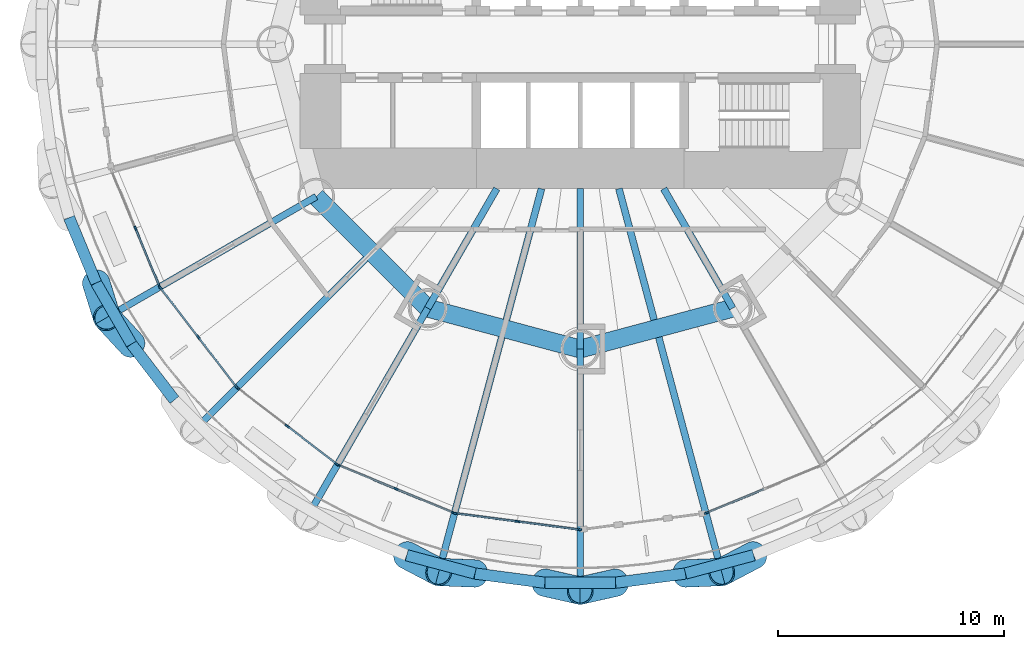
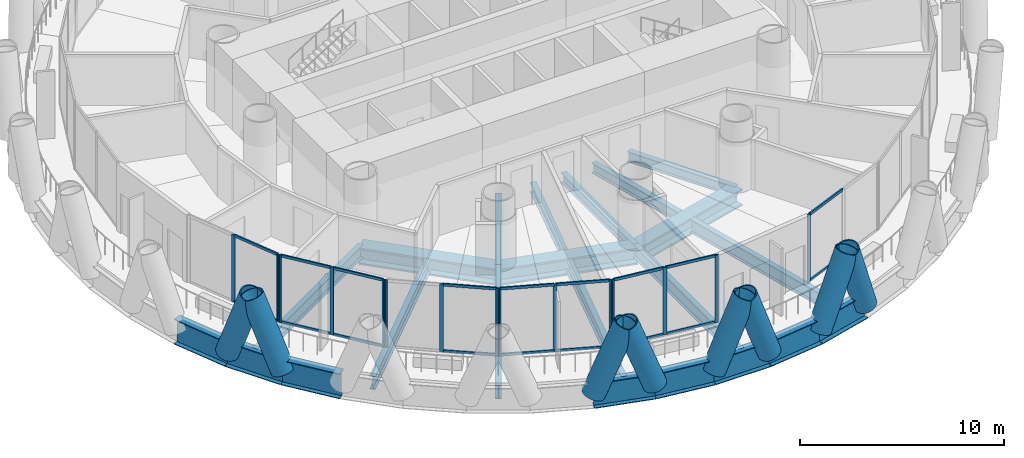
# One storey, part 2 of 16: 41 members, 22 beams, 6 elements without a shape of their own.
"""IFC4 building model written with IfcOpenShell, lengths in metres."""

from ifc_helpers import new_model, si_unit, direction, frame, origin, origin_2d, place, context, subcontext, project, spatial, rectangle, hollow_circle, i_section, extrude, material, material_profile, profile_set, type_object, element, aggregate, save


model = new_model("IFC4")

# Units and contexts
model_context = context("Model", 3, precision=1e-05, world=origin(), true_north=direction((0.0, 1.0)))
body_context = subcontext(model_context, "Body", "Model", "MODEL_VIEW")
ifc_project = project(units=[si_unit("LENGTHUNIT", "METRE"), si_unit("AREAUNIT", "SQUARE_METRE"), si_unit("VOLUMEUNIT", "CUBIC_METRE"), si_unit("PLANEANGLEUNIT", "RADIAN"), si_unit("MASSUNIT", "GRAM", prefix="KILO")], contexts=[model_context])

# Site, building, storey
site_placement = place(None, origin())
site = spatial("IfcSite", under=ifc_project, at=site_placement, CompositionType="ELEMENT")
building_placement = place(site_placement, origin())
building = spatial("IfcBuilding", under=site, at=building_placement, Name="Qaws Media Tower", CompositionType="ELEMENT")
storey_placement = place(building_placement, frame((0.0, 0.0, 38.60009765625)))
storey = spatial("IfcBuildingStorey", under=building, at=storey_placement, Name="L07", CompositionType="ELEMENT", Elevation=38.60009765625)

# Curtain wall, members
ifc_material_1 = material(Name="Aluminium and clear glass", Category="aluminium")
curtain_wall_type = type_object("IfcCurtainWallType", Name="Unitised curtain wall CW-A", PredefinedType="NOTDEFINED", material=ifc_material_1)
curtain_wall_1_placement = place(storey_placement, origin())
curtain_wall_1 = element("IfcCurtainWall", 1, at=curtain_wall_1_placement, inside=storey, type_object=curtain_wall_type, Name="CWA curtain wall L07-14", PredefinedType="NOTDEFINED")
ifc_material_2 = material(Name="Aluminium mullion", Category="aluminium")
ifc_material_profile_1 = material_profile(ifc_material_2, rectangle(XDim=0.080078125, YDim=0.199951171875, at=origin_2d()), Name="80x200")
ifc_profile_set_1 = profile_set([ifc_material_profile_1], Name="Aluminium mullion")
member_type_1 = type_object("IfcMemberType", Name="Curtain wall mullion 80x200", PredefinedType="MULLION", material=ifc_profile_set_1)
member_1_placement = place(storey_placement, frame((40.306640625, 41.8427734375, 0.0), z_axis=(0.0, 0.0, 1.0), x_axis=(0.923879550051, 0.382683390022, 0.0)))
member_1 = element("IfcMember", 2, at=member_1_placement, type_object=member_type_1, Name="CWA mullion 2", PredefinedType="MULLION", context=body_context, shape_type="SweptSolid", body=[
    extrude(rectangle(XDim=0.080078125, YDim=0.199951171875, at=origin_2d()), origin(), (0.0, 0.0, 1.0), 4.039794921875),
])
member_2_placement = place(storey_placement, frame((41.365234375, 39.286865234375, 0.0), z_axis=(0.0, 0.0, 1.0), x_axis=(0.923879550051, 0.382683390022, 0.0)))
member_2 = element("IfcMember", 3, at=member_2_placement, type_object=member_type_1, Name="CWA mullion 3", PredefinedType="MULLION", context=body_context, shape_type="SweptSolid", body=[
    extrude(rectangle(XDim=0.080078125, YDim=0.199951171875, at=origin_2d()), origin(), (0.0, 0.0, 1.0), 4.039794921875),
])

curtain_wall_2_placement = place(storey_placement, origin())
curtain_wall_2 = element("IfcCurtainWall", 4, at=curtain_wall_2_placement, inside=storey, type_object=curtain_wall_type, Name="CWA curtain wall L07-15", PredefinedType="NOTDEFINED")
member_3_placement = place(storey_placement, frame((41.40478515625, 39.21826171875, 0.0), z_axis=(0.0, 0.0, 1.0), x_axis=(0.793353386998, 0.608761368139, 0.0)))
member_3 = element("IfcMember", 5, at=member_3_placement, type_object=member_type_1, Name="CWA mullion 1", PredefinedType="MULLION", context=body_context, shape_type="SweptSolid", body=[
    extrude(rectangle(XDim=0.080078125, YDim=0.199951171875, at=origin_2d()), origin(), (0.0, 0.0, 1.0), 4.039794921875),
])
member_4_placement = place(storey_placement, frame((43.0888671875, 37.023681640625, 0.0), z_axis=(0.0, 0.0, 1.0), x_axis=(0.793353386998, 0.608761368139, 0.0)))
member_4 = element("IfcMember", 6, at=member_4_placement, type_object=member_type_1, Name="CWA mullion 2", PredefinedType="MULLION", context=body_context, shape_type="SweptSolid", body=[
    extrude(rectangle(XDim=0.080078125, YDim=0.199951171875, at=origin_2d()), origin(), (0.0, 0.0, 1.0), 4.039794921875),
])
member_5_placement = place(storey_placement, frame((44.77294921875, 34.828857421875, 0.0), z_axis=(0.0, 0.0, 1.0), x_axis=(0.793353386998, 0.608761368139, 0.0)))
member_5 = element("IfcMember", 7, at=member_5_placement, type_object=member_type_1, Name="CWA mullion 3", PredefinedType="MULLION", context=body_context, shape_type="SweptSolid", body=[
    extrude(rectangle(XDim=0.080078125, YDim=0.199951171875, at=origin_2d()), origin(), (0.0, 0.0, 1.0), 4.039794921875),
])

curtain_wall_3_placement = place(storey_placement, origin())
curtain_wall_3 = element("IfcCurtainWall", 8, at=curtain_wall_3_placement, inside=storey, type_object=curtain_wall_type, Name="CWA curtain wall L07-16", PredefinedType="NOTDEFINED")
member_6_placement = place(storey_placement, frame((44.828857421875, 34.77294921875, 0.0), z_axis=(0.0, 0.0, 1.0), x_axis=(0.608761368139, 0.793353386998, 0.0)))
member_6 = element("IfcMember", 9, at=member_6_placement, type_object=member_type_1, Name="CWA mullion 1", PredefinedType="MULLION", context=body_context, shape_type="SweptSolid", body=[
    extrude(rectangle(XDim=0.080078125, YDim=0.199951171875, at=origin_2d()), origin(), (0.0, 0.0, 1.0), 4.039794921875),
])
member_7_placement = place(storey_placement, frame((47.023681640625, 33.0888671875, 0.0), z_axis=(0.0, 0.0, 1.0), x_axis=(0.608761368139, 0.793353386998, 0.0)))
member_7 = element("IfcMember", 10, at=member_7_placement, type_object=member_type_1, Name="CWA mullion 2", PredefinedType="MULLION", context=body_context, shape_type="SweptSolid", body=[
    extrude(rectangle(XDim=0.080078125, YDim=0.199951171875, at=origin_2d()), origin(), (0.0, 0.0, 1.0), 4.039794921875),
])
member_8_placement = place(storey_placement, frame((49.21826171875, 31.40478515625, 0.0), z_axis=(0.0, 0.0, 1.0), x_axis=(0.608761368139, 0.793353386998, 0.0)))
member_8 = element("IfcMember", 11, at=member_8_placement, type_object=member_type_1, Name="CWA mullion 3", PredefinedType="MULLION", context=body_context, shape_type="SweptSolid", body=[
    extrude(rectangle(XDim=0.080078125, YDim=0.199951171875, at=origin_2d()), origin(), (0.0, 0.0, 1.0), 4.039794921875),
])

curtain_wall_4_placement = place(storey_placement, origin())
curtain_wall_4 = element("IfcCurtainWall", 12, at=curtain_wall_4_placement, inside=storey, type_object=curtain_wall_type, Name="CWA curtain wall L07-17", PredefinedType="NOTDEFINED")
member_9_placement = place(storey_placement, frame((49.286865234375, 31.365234375, 0.0), z_axis=(0.0, 0.0, 1.0), x_axis=(0.382683390022, 0.923879550051, 0.0)))
member_9 = element("IfcMember", 13, at=member_9_placement, type_object=member_type_1, Name="CWA mullion 1", PredefinedType="MULLION", context=body_context, shape_type="SweptSolid", body=[
    extrude(rectangle(XDim=0.080078125, YDim=0.199951171875, at=origin_2d()), origin(), (0.0, 0.0, 1.0), 4.039794921875),
])
member_10_placement = place(storey_placement, frame((51.8427734375, 30.306640625, 0.0), z_axis=(0.0, 0.0, 1.0), x_axis=(0.382683390022, 0.923879550051, 0.0)))
member_10 = element("IfcMember", 14, at=member_10_placement, type_object=member_type_1, Name="CWA mullion 2", PredefinedType="MULLION", context=body_context, shape_type="SweptSolid", body=[
    extrude(rectangle(XDim=0.080078125, YDim=0.199951171875, at=origin_2d()), origin(), (0.0, 0.0, 1.0), 4.039794921875),
])
member_11_placement = place(storey_placement, frame((54.3984375, 29.247802734375, 0.0), z_axis=(0.0, 0.0, 1.0), x_axis=(0.382683390022, 0.923879550051, 0.0)))
member_11 = element("IfcMember", 15, at=member_11_placement, type_object=member_type_1, Name="CWA mullion 3", PredefinedType="MULLION", context=body_context, shape_type="SweptSolid", body=[
    extrude(rectangle(XDim=0.080078125, YDim=0.199951171875, at=origin_2d()), origin(), (0.0, 0.0, 1.0), 4.039794921875),
])

curtain_wall_5_placement = place(storey_placement, origin())
curtain_wall_5 = element("IfcCurtainWall", 16, at=curtain_wall_5_placement, inside=storey, type_object=curtain_wall_type, Name="CWA curtain wall L07-18", PredefinedType="NOTDEFINED")
member_12_placement = place(storey_placement, frame((54.47509765625, 29.227294921875, 0.0), z_axis=(0.0, 0.0, 1.0), x_axis=(0.130526249496, 0.991444853833, 0.0)))
member_12 = element("IfcMember", 17, at=member_12_placement, type_object=member_type_1, Name="CWA mullion 1", PredefinedType="MULLION", context=body_context, shape_type="SweptSolid", body=[
    extrude(rectangle(XDim=0.080078125, YDim=0.199951171875, at=origin_2d()), origin(), (0.0, 0.0, 1.0), 4.039794921875),
])
member_13_placement = place(storey_placement, frame((57.2177734375, 28.8662109375, 0.0), z_axis=(0.0, 0.0, 1.0), x_axis=(0.130526249496, 0.991444853833, 0.0)))
member_13 = element("IfcMember", 18, at=member_13_placement, type_object=member_type_1, Name="CWA mullion 2", PredefinedType="MULLION", context=body_context, shape_type="SweptSolid", body=[
    extrude(rectangle(XDim=0.080078125, YDim=0.199951171875, at=origin_2d()), origin(), (0.0, 0.0, 1.0), 4.039794921875),
])
member_14_placement = place(storey_placement, frame((59.96044921875, 28.505126953125, 0.0), z_axis=(0.0, 0.0, 1.0), x_axis=(0.130526249496, 0.991444853833, 0.0)))
member_14 = element("IfcMember", 19, at=member_14_placement, type_object=member_type_1, Name="CWA mullion 3", PredefinedType="MULLION", context=body_context, shape_type="SweptSolid", body=[
    extrude(rectangle(XDim=0.080078125, YDim=0.199951171875, at=origin_2d()), origin(), (0.0, 0.0, 1.0), 4.039794921875),
])

# Curtain wall, member
curtain_wall_6_placement = place(storey_placement, origin())
curtain_wall_6 = element("IfcCurtainWall", 20, at=curtain_wall_6_placement, inside=storey, type_object=curtain_wall_type, Name="CWA curtain wall L07-20", PredefinedType="NOTDEFINED")
member_15_placement = place(storey_placement, frame((65.6015625, 29.247802734375, 0.0), z_axis=(0.0, 0.0, 1.0), x_axis=(-0.382683390022, 0.923879550051, 0.0)))
member_15 = element("IfcMember", 21, at=member_15_placement, type_object=member_type_1, Name="CWA mullion 1", PredefinedType="MULLION", context=body_context, shape_type="SweptSolid", body=[
    extrude(rectangle(XDim=0.080078125, YDim=0.199951171875, at=origin_2d()), origin(), (0.0, 0.0, 1.0), 4.039794921875),
])

# Member
ifc_material_3 = material(Name="Aluminium transom", Category="aluminium")
ifc_material_profile_2 = material_profile(ifc_material_3, rectangle(XDim=0.080078125, YDim=0.159912109375, at=origin_2d()), Name="80x160")
ifc_profile_set_2 = profile_set([ifc_material_profile_2], Name="Aluminium transom")
member_type_2 = type_object("IfcMemberType", Name="Curtain wall transom 80x160", PredefinedType="USERDEFINED", material=ifc_profile_set_2)
member_16_placement = place(storey_placement, frame((40.32177734375, 41.8056640625, 0.039794921875), z_axis=(0.382723705006, -0.923862850009, 0.0), x_axis=(0.923862850009, 0.382723705006, 0.0)))
member_16 = element("IfcMember", 22, at=member_16_placement, type_object=member_type_2, Name="CWA transom 2.1", ObjectType="TRANSOM", PredefinedType="USERDEFINED", context=body_context, shape_type="SweptSolid", body=[
    extrude(rectangle(XDim=0.080078125, YDim=0.159912109375, at=origin_2d()), origin(), (0.0, 0.0, 1.0), 2.686279296875),
])

member_17_placement = place(storey_placement, frame((40.32177734375, 41.8056640625, 4.0), z_axis=(0.382723705006, -0.923862850009, 0.0), x_axis=(0.923862850009, 0.382723705006, 0.0)))
member_17 = element("IfcMember", 23, at=member_17_placement, type_object=member_type_2, Name="CWA transom 2.2", ObjectType="TRANSOM", PredefinedType="USERDEFINED", context=body_context, shape_type="SweptSolid", body=[
    extrude(rectangle(XDim=0.080078125, YDim=0.159912109375, at=origin_2d()), origin(), (0.0, 0.0, 1.0), 2.686279296875),
])

aggregate(curtain_wall_1, [member_1, member_2, member_16, member_17])

member_18_placement = place(storey_placement, frame((41.42919921875, 39.1865234375, 0.039794921875), z_axis=(0.608761584717, -0.793353220812, 0.0), x_axis=(0.793353220812, 0.608761584717, 0.0)))
member_18 = element("IfcMember", 24, at=member_18_placement, type_object=member_type_2, Name="CWA transom 1.1", ObjectType="TRANSOM", PredefinedType="USERDEFINED", context=body_context, shape_type="SweptSolid", body=[
    extrude(rectangle(XDim=0.080078125, YDim=0.159912109375, at=origin_2d()), origin(), (0.0, 0.0, 1.0), 2.686279296875),
])

member_19_placement = place(storey_placement, frame((41.42919921875, 39.1865234375, 4.0), z_axis=(0.608761584717, -0.793353220812, 0.0), x_axis=(0.793353220812, 0.608761584717, 0.0)))
member_19 = element("IfcMember", 25, at=member_19_placement, type_object=member_type_2, Name="CWA transom 1.2", ObjectType="TRANSOM", PredefinedType="USERDEFINED", context=body_context, shape_type="SweptSolid", body=[
    extrude(rectangle(XDim=0.080078125, YDim=0.159912109375, at=origin_2d()), origin(), (0.0, 0.0, 1.0), 2.686279296875),
])

member_20_placement = place(storey_placement, frame((43.11328125, 36.991943359375, 0.039794921875), z_axis=(0.608717691863, -0.793386899068, 0.0), x_axis=(0.793386899068, 0.608717691863, 0.0)))
member_20 = element("IfcMember", 26, at=member_20_placement, type_object=member_type_2, Name="CWA transom 2.1", ObjectType="TRANSOM", PredefinedType="USERDEFINED", context=body_context, shape_type="SweptSolid", body=[
    extrude(rectangle(XDim=0.080078125, YDim=0.159912109375, at=origin_2d()), origin(), (0.0, 0.0, 1.0), 2.686279296875),
])

member_21_placement = place(storey_placement, frame((43.11328125, 36.991943359375, 4.0), z_axis=(0.608717691863, -0.793386899068, 0.0), x_axis=(0.793386899068, 0.608717691863, 0.0)))
member_21 = element("IfcMember", 27, at=member_21_placement, type_object=member_type_2, Name="CWA transom 2.2", ObjectType="TRANSOM", PredefinedType="USERDEFINED", context=body_context, shape_type="SweptSolid", body=[
    extrude(rectangle(XDim=0.080078125, YDim=0.159912109375, at=origin_2d()), origin(), (0.0, 0.0, 1.0), 2.686279296875),
])

aggregate(curtain_wall_2, [member_3, member_4, member_5, member_18, member_19, member_20, member_21])

member_22_placement = place(storey_placement, frame((47.055419921875, 33.064453125, 0.039794921875), z_axis=(0.793353220812, -0.608761584717, 0.0), x_axis=(0.608761584717, 0.793353220812, 0.0)))
member_22 = element("IfcMember", 28, at=member_22_placement, type_object=member_type_2, Name="CWA transom 2.1", ObjectType="TRANSOM", PredefinedType="USERDEFINED", context=body_context, shape_type="SweptSolid", body=[
    extrude(rectangle(XDim=0.080078125, YDim=0.159912109375, at=origin_2d()), origin(), (0.0, 0.0, 1.0), 2.686279296875),
])

member_23_placement = place(storey_placement, frame((47.055419921875, 33.064453125, 4.0), z_axis=(0.793353220812, -0.608761584717, 0.0), x_axis=(0.608761584717, 0.793353220812, 0.0)))
member_23 = element("IfcMember", 29, at=member_23_placement, type_object=member_type_2, Name="CWA transom 2.2", ObjectType="TRANSOM", PredefinedType="USERDEFINED", context=body_context, shape_type="SweptSolid", body=[
    extrude(rectangle(XDim=0.080078125, YDim=0.159912109375, at=origin_2d()), origin(), (0.0, 0.0, 1.0), 2.686279296875),
])

aggregate(curtain_wall_3, [member_6, member_7, member_8, member_22, member_23])

member_24_placement = place(storey_placement, frame((49.323974609375, 31.349853515625, 0.039794921875), z_axis=(0.923862850009, -0.382723705006, 0.0), x_axis=(0.382723705006, 0.923862850009, 0.0)))
member_24 = element("IfcMember", 30, at=member_24_placement, type_object=member_type_2, Name="CWA transom 1.1", ObjectType="TRANSOM", PredefinedType="USERDEFINED", context=body_context, shape_type="SweptSolid", body=[
    extrude(rectangle(XDim=0.080078125, YDim=0.159912109375, at=origin_2d()), origin(), (0.0, 0.0, 1.0), 2.686279296875),
])

member_25_placement = place(storey_placement, frame((49.323974609375, 31.349853515625, 4.0), z_axis=(0.923862850009, -0.382723705006, 0.0), x_axis=(0.382723705006, 0.923862850009, 0.0)))
member_25 = element("IfcMember", 31, at=member_25_placement, type_object=member_type_2, Name="CWA transom 1.2", ObjectType="TRANSOM", PredefinedType="USERDEFINED", context=body_context, shape_type="SweptSolid", body=[
    extrude(rectangle(XDim=0.080078125, YDim=0.159912109375, at=origin_2d()), origin(), (0.0, 0.0, 1.0), 2.686279296875),
])

member_26_placement = place(storey_placement, frame((51.879638671875, 30.291259765625, 0.039794921875), z_axis=(0.923876161176, -0.382691571386, 0.0), x_axis=(0.382691571386, 0.923876161176, 0.0)))
member_26 = element("IfcMember", 32, at=member_26_placement, type_object=member_type_2, Name="CWA transom 2.1", ObjectType="TRANSOM", PredefinedType="USERDEFINED", context=body_context, shape_type="SweptSolid", body=[
    extrude(rectangle(XDim=0.080078125, YDim=0.159912109375, at=origin_2d()), origin(), (0.0, 0.0, 1.0), 2.6865234375),
])

member_27_placement = place(storey_placement, frame((51.879638671875, 30.291259765625, 4.0), z_axis=(0.923876161176, -0.382691571386, 0.0), x_axis=(0.382691571386, 0.923876161176, 0.0)))
member_27 = element("IfcMember", 33, at=member_27_placement, type_object=member_type_2, Name="CWA transom 2.2", ObjectType="TRANSOM", PredefinedType="USERDEFINED", context=body_context, shape_type="SweptSolid", body=[
    extrude(rectangle(XDim=0.080078125, YDim=0.159912109375, at=origin_2d()), origin(), (0.0, 0.0, 1.0), 2.6865234375),
])

aggregate(curtain_wall_4, [member_9, member_10, member_11, member_24, member_25, member_26, member_27])

member_28_placement = place(storey_placement, frame((54.5146484375, 29.22216796875, 0.039794921875), z_axis=(0.991447179301, -0.130508584607, 0.0), x_axis=(0.130508584607, 0.991447179301, 0.0)))
member_28 = element("IfcMember", 34, at=member_28_placement, type_object=member_type_2, Name="CWA transom 1.1", ObjectType="TRANSOM", PredefinedType="USERDEFINED", context=body_context, shape_type="SweptSolid", body=[
    extrude(rectangle(XDim=0.080078125, YDim=0.159912109375, at=origin_2d()), origin(), (0.0, 0.0, 1.0), 2.686279296875),
])

member_29_placement = place(storey_placement, frame((54.5146484375, 29.22216796875, 4.0), z_axis=(0.991447179301, -0.130508584607, 0.0), x_axis=(0.130508584607, 0.991447179301, 0.0)))
member_29 = element("IfcMember", 35, at=member_29_placement, type_object=member_type_2, Name="CWA transom 1.2", ObjectType="TRANSOM", PredefinedType="USERDEFINED", context=body_context, shape_type="SweptSolid", body=[
    extrude(rectangle(XDim=0.080078125, YDim=0.159912109375, at=origin_2d()), origin(), (0.0, 0.0, 1.0), 2.686279296875),
])

member_30_placement = place(storey_placement, frame((57.25732421875, 28.861083984375, 0.039794921875), z_axis=(0.991447179301, -0.130508584607, 0.0), x_axis=(0.130508584607, 0.991447179301, 0.0)))
member_30 = element("IfcMember", 36, at=member_30_placement, type_object=member_type_2, Name="CWA transom 2.1", ObjectType="TRANSOM", PredefinedType="USERDEFINED", context=body_context, shape_type="SweptSolid", body=[
    extrude(rectangle(XDim=0.080078125, YDim=0.159912109375, at=origin_2d()), origin(), (0.0, 0.0, 1.0), 2.686279296875),
])

member_31_placement = place(storey_placement, frame((57.25732421875, 28.861083984375, 4.0), z_axis=(0.991447179301, -0.130508584607, 0.0), x_axis=(0.130508584607, 0.991447179301, 0.0)))
member_31 = element("IfcMember", 37, at=member_31_placement, type_object=member_type_2, Name="CWA transom 2.2", ObjectType="TRANSOM", PredefinedType="USERDEFINED", context=body_context, shape_type="SweptSolid", body=[
    extrude(rectangle(XDim=0.080078125, YDim=0.159912109375, at=origin_2d()), origin(), (0.0, 0.0, 1.0), 2.686279296875),
])

aggregate(curtain_wall_5, [member_12, member_13, member_14, member_28, member_29, member_30, member_31])

member_32_placement = place(storey_placement, frame((65.638427734375, 29.26318359375, 0.039794921875), z_axis=(0.923876161176, 0.382691571386, 0.0), x_axis=(-0.382691571386, 0.923876161176, 0.0)))
member_32 = element("IfcMember", 38, at=member_32_placement, type_object=member_type_2, Name="CWA transom 1.1", ObjectType="TRANSOM", PredefinedType="USERDEFINED", context=body_context, shape_type="SweptSolid", body=[
    extrude(rectangle(XDim=0.080078125, YDim=0.159912109375, at=origin_2d()), origin(), (0.0, 0.0, 1.0), 2.6865234375),
])

member_33_placement = place(storey_placement, frame((65.638427734375, 29.26318359375, 4.0), z_axis=(0.923876161176, 0.382691571386, 0.0), x_axis=(-0.382691571386, 0.923876161176, 0.0)))
member_33 = element("IfcMember", 39, at=member_33_placement, type_object=member_type_2, Name="CWA transom 1.2", ObjectType="TRANSOM", PredefinedType="USERDEFINED", context=body_context, shape_type="SweptSolid", body=[
    extrude(rectangle(XDim=0.080078125, YDim=0.159912109375, at=origin_2d()), origin(), (0.0, 0.0, 1.0), 2.6865234375),
])

aggregate(curtain_wall_6, [member_15, member_32, member_33])

# Members
ifc_material_4 = material(Name="Steel S460", Category="steel")
ifc_material_profile_3 = material_profile(ifc_material_4, hollow_circle(Radius=0.609619140625, WallThickness=0.06005859375, at=origin_2d()), Name="CHS 1219x60")
ifc_profile_set_3 = profile_set([ifc_material_profile_3], Name="Steel S460")
member_type_3 = type_object("IfcMemberType", Name="Diagrid member CHS 1219x60", PredefinedType="USERDEFINED", material=ifc_profile_set_3)
for number, where, z_axis, x_axis, name in (
    (40, (38.564697265625, 39.42919921875, -0.91015625), (0.106234265459, -0.340210347051, 0.934329278468), (0.954545031131, 0.298066743437, 0.0), "DG1 diagrid L07 A14"),
    (41, (40.1279296875, 36.721923828125, -0.91015625), (-0.241528013276, 0.262058165968, 0.93433919775), (-0.735323234124, -0.677716564176, 0.0), "DG1 diagrid L07 B15"),
    (42, (52.317626953125, 27.368408203125, -0.91015625), (0.315661361343, -0.165488673092, 0.934329387333), (0.464320143307, 0.885667434492, 0.0), "DG1 diagrid L07 A17"),
    (43, (58.436767578125, 26.151123046875, -0.91015625), (0.347758370258, -0.078100349279, 0.934325666648), (0.219124199396, 0.975696974085, 0.0), "DG1 diagrid L07 A18"),
    (44, (55.33740234375, 26.559326171875, -0.91015625), (-0.356122760957, 0.014501262342, 0.934326651936), (-0.040686124419, -0.999171976829, 0.0), "DG1 diagrid L07 B18"),
    (45, (64.66259765625, 26.559326171875, -0.91015625), (0.356122760957, 0.014501262342, 0.934326651936), (-0.040686124419, 0.999171976829, 0.0), "DG1 diagrid L07 A19"),
    (46, (61.563232421875, 26.151123046875, -0.91015625), (-0.347758370258, -0.078100349279, 0.934325666648), (0.219124199396, -0.975696974085, 0.0), "DG1 diagrid L07 B19"),
    (47, (67.682373046875, 27.368408203125, -0.91015625), (-0.315661361343, -0.165488673092, 0.934329387333), (0.464320143307, -0.885667434492, 0.0), "DG1 diagrid L07 B20"),
):
    element("IfcMember", number, at=place(storey_placement, frame(where, z_axis=z_axis, x_axis=x_axis)), inside=storey, type_object=member_type_3, Name=name, ObjectType="DIAGRID", PredefinedType="USERDEFINED", context=body_context, shape_type="SweptSolid", body=[
        extrude(hollow_circle(Radius=0.609619140625, WallThickness=0.06005859375, at=origin_2d()), origin(), (0.0, 0.0, 1.0), 4.4951171875),
    ])

# Beams
ifc_material_5 = material(Name="Steel S460", Category="steel")
ifc_material_profile_4 = material_profile(ifc_material_5, i_section(OverallWidth=0.5, OverallDepth=1.5, WebThickness=0.02001953125, FlangeThickness=0.0400390625, at=origin_2d()), Name="PG 1500x500")
ifc_profile_set_4 = profile_set([ifc_material_profile_4], Name="Steel S460")
beam_type_1 = type_object("IfcBeamType", Name="Edge ring beam PG 1500x500", PredefinedType="BEAM", material=ifc_profile_set_4)
beam_1_placement = place(storey_placement, frame((37.368408203125, 42.317626953125, -0.91015625), z_axis=(0.382646061572, -0.923895011115, 0.0), x_axis=(0.923895011115, 0.382646061572, 0.0)))
element("IfcBeam", 48, at=beam_1_placement, inside=storey, type_object=beam_type_1, Name="RB4 edge ring beam L07-27", PredefinedType="BEAM", context=body_context, shape_type="SweptSolid", body=[
    extrude(i_section(OverallWidth=0.5, OverallDepth=1.5, WebThickness=0.02001953125, FlangeThickness=0.0400390625, at=origin_2d()), origin(), (0.0, 0.0, 1.0), 3.12646484375),
])
for number, where, z_axis, x_axis, name in (
    (49, (38.564697265625, 39.42919921875, -0.91015625), (0.500044681503, -0.86599960537, 0.0), (0.86599960537, 0.500044681503, 0.0), "RB4 edge ring beam L07-28"),
    (50, (40.1279296875, 36.721923828125, -0.91015625), (0.608747918048, -0.793363707434, 0.0), (0.793363707434, 0.608747918048, 0.0), "RB4 edge ring beam L07-29"),
    (51, (52.317626953125, 27.368408203125, -0.91015625), (0.965930971662, -0.258799841546, 0.0), (0.258799841546, 0.965930971662, 0.0), "RB4 edge ring beam L07-34"),
    (52, (55.33740234375, 26.559326171875, -0.91015625), (0.991438073109, -0.130577743855, 0.0), (0.130577743855, 0.991438073109, 0.0), "RB4 edge ring beam L07-35"),
):
    element("IfcBeam", number, at=place(storey_placement, frame(where, z_axis=z_axis, x_axis=x_axis)), inside=storey, type_object=beam_type_1, Name=name, PredefinedType="BEAM", context=body_context, shape_type="SweptSolid", body=[
        extrude(i_section(OverallWidth=0.5, OverallDepth=1.5, WebThickness=0.02001953125, FlangeThickness=0.0400390625, at=origin_2d()), origin(), (0.0, 0.0, 1.0), 3.126220703125),
    ])
beam_2_placement = place(storey_placement, frame((58.436767578125, 26.151123046875, -0.91015625), z_axis=(1.0, 0.0, 0.0), x_axis=(0.0, 1.0, 0.0)))
element("IfcBeam", 53, at=beam_2_placement, inside=storey, type_object=beam_type_1, Name="RB4 edge ring beam L07-36", PredefinedType="BEAM", context=body_context, shape_type="SweptSolid", body=[
    extrude(i_section(OverallWidth=0.5, OverallDepth=1.5, WebThickness=0.02001953125, FlangeThickness=0.0400390625, at=origin_2d()), origin(), (0.0, 0.0, 1.0), 3.12646484375),
])
for number, where, z_axis, x_axis, name in (
    (54, (61.563232421875, 26.151123046875, -0.91015625), (0.991438073109, 0.130577743855, 0.0), (-0.130577743855, 0.991438073109, 0.0), "RB4 edge ring beam L07-37"),
    (55, (64.66259765625, 26.559326171875, -0.91015625), (0.965930971662, 0.258799841546, 0.0), (-0.258799841546, 0.965930971662, 0.0), "RB4 edge ring beam L07-38"),
):
    element("IfcBeam", number, at=place(storey_placement, frame(where, z_axis=z_axis, x_axis=x_axis)), inside=storey, type_object=beam_type_1, Name=name, PredefinedType="BEAM", context=body_context, shape_type="SweptSolid", body=[
        extrude(i_section(OverallWidth=0.5, OverallDepth=1.5, WebThickness=0.02001953125, FlangeThickness=0.0400390625, at=origin_2d()), origin(), (0.0, 0.0, 1.0), 3.126220703125),
    ])
ifc_material_6 = material(Name="Steel S460", Category="steel")
ifc_material_profile_5 = material_profile(ifc_material_6, i_section(OverallWidth=0.800048828125, OverallDepth=1.0, WebThickness=0.0400390625, FlangeThickness=0.10009765625, at=origin_2d()), Name="PG 1000x800")
ifc_profile_set_5 = profile_set([ifc_material_profile_5], Name="Steel S460")
beam_type_2 = type_object("IfcBeamType", Name="Inner ring girder PG 1000x800", PredefinedType="BEAM", material=ifc_profile_set_5)
beam_3_placement = place(storey_placement, frame((48.30859375, 43.25, -0.66015625), z_axis=(0.707106781187, -0.707106781187, 0.0), x_axis=(0.707106781187, 0.707106781187, 0.0)))
element("IfcBeam", 56, at=beam_3_placement, inside=storey, type_object=beam_type_2, Name="B3 inner ring beam L07 I08-I09", PredefinedType="BEAM", context=body_context, shape_type="SweptSolid", body=[
    extrude(i_section(OverallWidth=0.800048828125, OverallDepth=1.0, WebThickness=0.0400390625, FlangeThickness=0.10009765625, at=origin_2d()), origin(), (0.0, 0.0, 1.0), 6.98828125),
])
for number, where, z_axis, x_axis, name in (
    (57, (53.25, 38.30859375, -0.66015625), (0.965928090778, -0.258810593767, 0.0), (0.258810593767, 0.965928090778, 0.0), "B3 inner ring beam L07 I09-I10"),
    (58, (60.0, 36.5, -0.66015625), (0.965928090778, 0.258810593767, 0.0), (-0.258810593767, 0.965928090778, 0.0), "B3 inner ring beam L07 I10-I11"),
):
    element("IfcBeam", number, at=place(storey_placement, frame(where, z_axis=z_axis, x_axis=x_axis)), inside=storey, type_object=beam_type_2, Name=name, PredefinedType="BEAM", context=body_context, shape_type="SweptSolid", body=[
        extrude(i_section(OverallWidth=0.800048828125, OverallDepth=1.0, WebThickness=0.0400390625, FlangeThickness=0.10009765625, at=origin_2d()), origin(), (0.0, 0.0, 1.0), 6.988037109375),
    ])
ifc_material_7 = material(Name="Steel S355", Category="steel")
ifc_material_profile_6 = material_profile(ifc_material_7, i_section(OverallWidth=0.304931640625, OverallDepth=0.6201171875, WebThickness=0.02099609375, FlangeThickness=0.0400390625, FilletRadius=0.027099609375, at=origin_2d()), Name="HE 600 M")
ifc_profile_set_6 = profile_set([ifc_material_profile_6], Name="Steel S355")
beam_type_3 = type_object("IfcBeamType", Name="Radial beam HE 600 M, core side", PredefinedType="BEAM", material=ifc_profile_set_6)
beam_4_placement = place(storey_placement, frame((56.304931640625, 43.60009765625, -0.47021484375), z_axis=(-0.49998532359, -0.866033877048, 0.0), x_axis=(0.866033877048, -0.49998532359, 0.0)))
element("IfcBeam", 59, at=beam_4_placement, inside=storey, type_object=beam_type_3, Name="B2 radial beam L07 17", PredefinedType="BEAM", context=body_context, shape_type="SweptSolid", body=[
    extrude(i_section(OverallWidth=0.304931640625, OverallDepth=0.6201171875, WebThickness=0.02099609375, FlangeThickness=0.0400390625, FilletRadius=0.027099609375, at=origin_2d()), origin(), (0.0, 0.0, 1.0), 6.110107421875),
])
beam_5_placement = place(storey_placement, frame((58.28515625, 43.60009765625, -0.47021484375), z_axis=(-0.258824687089, -0.965924314506, 0.0), x_axis=(0.965924314506, -0.258824687089, 0.0)))
element("IfcBeam", 60, at=beam_5_placement, inside=storey, type_object=beam_type_3, Name="B2 radial beam L07 18", PredefinedType="BEAM", context=body_context, shape_type="SweptSolid", body=[
    extrude(i_section(OverallWidth=0.304931640625, OverallDepth=0.6201171875, WebThickness=0.02099609375, FlangeThickness=0.0400390625, FilletRadius=0.027099609375, at=origin_2d()), origin(), (0.0, 0.0, 1.0), 6.01416015625),
])
beam_6_placement = place(storey_placement, frame((60.0, 43.60009765625, -0.47021484375), z_axis=(0.0, -1.0, 0.0), x_axis=(1.0, 0.0, 0.0)))
element("IfcBeam", 61, at=beam_6_placement, inside=storey, type_object=beam_type_3, Name="B2 radial beam L07 19", PredefinedType="BEAM", context=body_context, shape_type="SweptSolid", body=[
    extrude(i_section(OverallWidth=0.304931640625, OverallDepth=0.6201171875, WebThickness=0.02099609375, FlangeThickness=0.0400390625, FilletRadius=0.027099609375, at=origin_2d()), origin(), (0.0, 0.0, 1.0), 7.10009765625),
])
beam_7_placement = place(storey_placement, frame((61.71484375, 43.60009765625, -0.47021484375), z_axis=(0.258824687089, -0.965924314506, 0.0), x_axis=(0.965924314506, 0.258824687089, 0.0)))
element("IfcBeam", 62, at=beam_7_placement, inside=storey, type_object=beam_type_3, Name="B2 radial beam L07 20", PredefinedType="BEAM", context=body_context, shape_type="SweptSolid", body=[
    extrude(i_section(OverallWidth=0.304931640625, OverallDepth=0.6201171875, WebThickness=0.02099609375, FlangeThickness=0.0400390625, FilletRadius=0.027099609375, at=origin_2d()), origin(), (0.0, 0.0, 1.0), 6.01416015625),
])
beam_8_placement = place(storey_placement, frame((63.695068359375, 43.60009765625, -0.47021484375), z_axis=(0.49998532359, -0.866033877048, 0.0), x_axis=(0.866033877048, 0.49998532359, 0.0)))
element("IfcBeam", 63, at=beam_8_placement, inside=storey, type_object=beam_type_3, Name="B2 radial beam L07 21", PredefinedType="BEAM", context=body_context, shape_type="SweptSolid", body=[
    extrude(i_section(OverallWidth=0.304931640625, OverallDepth=0.6201171875, WebThickness=0.02099609375, FlangeThickness=0.0400390625, FilletRadius=0.027099609375, at=origin_2d()), origin(), (0.0, 0.0, 1.0), 6.110107421875),
])
ifc_material_8 = material(Name="Steel S355", Category="steel")
ifc_material_profile_7 = material_profile(ifc_material_8, i_section(OverallWidth=0.300048828125, OverallDepth=0.800048828125, WebThickness=0.017578125, FlangeThickness=0.032958984375, FilletRadius=0.030029296875, at=origin_2d()), Name="HE 800 B")
ifc_profile_set_7 = profile_set([ifc_material_profile_7], Name="Steel S355")
beam_type_4 = type_object("IfcBeamType", Name="Radial beam HE 800 B", PredefinedType="BEAM", material=ifc_profile_set_7)
beam_9_placement = place(storey_placement, frame((48.30859375, 43.25, -0.56005859375), z_axis=(-0.866030801295, -0.499990651121, 0.0), x_axis=(0.499990651121, -0.866030801295, 0.0)))
element("IfcBeam", 64, at=beam_9_placement, inside=storey, type_object=beam_type_4, Name="B1 radial beam L07 15", PredefinedType="BEAM", context=body_context, shape_type="SweptSolid", body=[
    extrude(i_section(OverallWidth=0.300048828125, OverallDepth=0.800048828125, WebThickness=0.017578125, FlangeThickness=0.032958984375, FilletRadius=0.030029296875, at=origin_2d()), origin(), (0.0, 0.0, 1.0), 10.348876953125),
])
beam_10_placement = place(storey_placement, frame((50.49658203125, 40.49658203125, -0.56005859375), z_axis=(-0.707106781187, -0.707106781187, 0.0), x_axis=(0.707106781187, -0.707106781187, 0.0)))
element("IfcBeam", 65, at=beam_10_placement, inside=storey, type_object=beam_type_4, Name="B1 radial beam L07 16", PredefinedType="BEAM", context=body_context, shape_type="SweptSolid", body=[
    extrude(i_section(OverallWidth=0.300048828125, OverallDepth=0.800048828125, WebThickness=0.017578125, FlangeThickness=0.032958984375, FilletRadius=0.030029296875, at=origin_2d()), origin(), (0.0, 0.0, 1.0), 10.4091796875),
])
beam_11_placement = place(storey_placement, frame((53.25, 38.30859375, -0.56005859375), z_axis=(-0.499990651121, -0.866030801295, 0.0), x_axis=(0.866030801295, -0.499990651121, 0.0)))
element("IfcBeam", 66, at=beam_11_placement, inside=storey, type_object=beam_type_4, Name="B1 radial beam L07 17", PredefinedType="BEAM", context=body_context, shape_type="SweptSolid", body=[
    extrude(i_section(OverallWidth=0.300048828125, OverallDepth=0.800048828125, WebThickness=0.017578125, FlangeThickness=0.032958984375, FilletRadius=0.030029296875, at=origin_2d()), origin(), (0.0, 0.0, 1.0), 10.348876953125),
])
beam_12_placement = place(storey_placement, frame((56.521484375, 37.01806640625, -0.56005859375), z_axis=(-0.258825968201, -0.965923971224, 0.0), x_axis=(0.965923971224, -0.258825968201, 0.0)))
element("IfcBeam", 67, at=beam_12_placement, inside=storey, type_object=beam_type_4, Name="B1 radial beam L07 18", PredefinedType="BEAM", context=body_context, shape_type="SweptSolid", body=[
    extrude(i_section(OverallWidth=0.300048828125, OverallDepth=0.800048828125, WebThickness=0.017578125, FlangeThickness=0.032958984375, FilletRadius=0.030029296875, at=origin_2d()), origin(), (0.0, 0.0, 1.0), 10.408935546875),
])
beam_13_placement = place(storey_placement, frame((60.0, 36.5, -0.56005859375), z_axis=(0.0, -1.0, 0.0), x_axis=(1.0, 0.0, 0.0)))
element("IfcBeam", 68, at=beam_13_placement, inside=storey, type_object=beam_type_4, Name="B1 radial beam L07 19", PredefinedType="BEAM", context=body_context, shape_type="SweptSolid", body=[
    extrude(i_section(OverallWidth=0.300048828125, OverallDepth=0.800048828125, WebThickness=0.017578125, FlangeThickness=0.032958984375, FilletRadius=0.030029296875, at=origin_2d()), origin(), (0.0, 0.0, 1.0), 10.348876953125),
])
beam_14_placement = place(storey_placement, frame((63.478515625, 37.01806640625, -0.56005859375), z_axis=(0.258825968201, -0.965923971224, 0.0), x_axis=(0.965923971224, 0.258825968201, 0.0)))
element("IfcBeam", 69, at=beam_14_placement, inside=storey, type_object=beam_type_4, Name="B1 radial beam L07 20", PredefinedType="BEAM", context=body_context, shape_type="SweptSolid", body=[
    extrude(i_section(OverallWidth=0.300048828125, OverallDepth=0.800048828125, WebThickness=0.017578125, FlangeThickness=0.032958984375, FilletRadius=0.030029296875, at=origin_2d()), origin(), (0.0, 0.0, 1.0), 10.408935546875),
])

save(model, "model.ifc")
